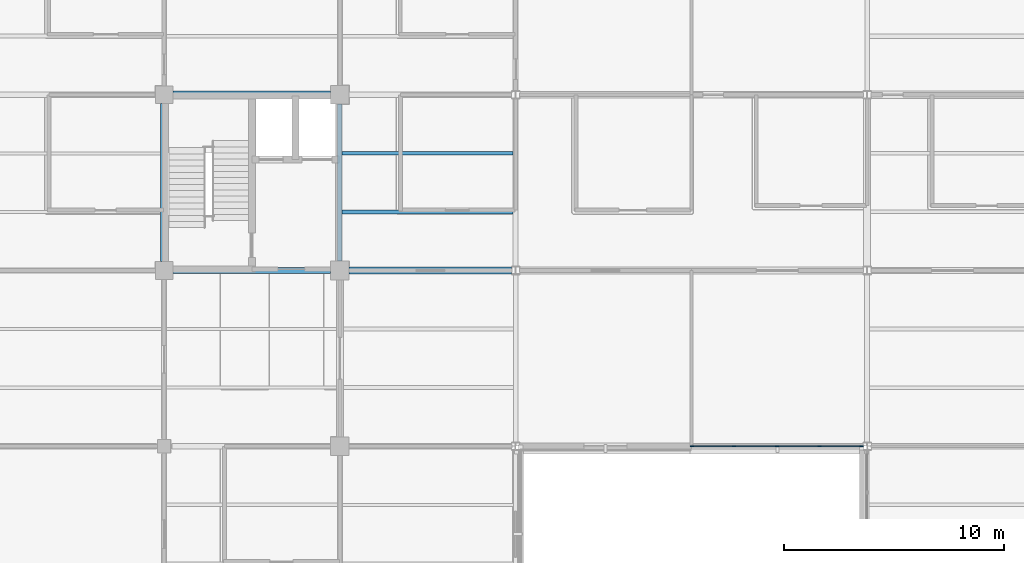
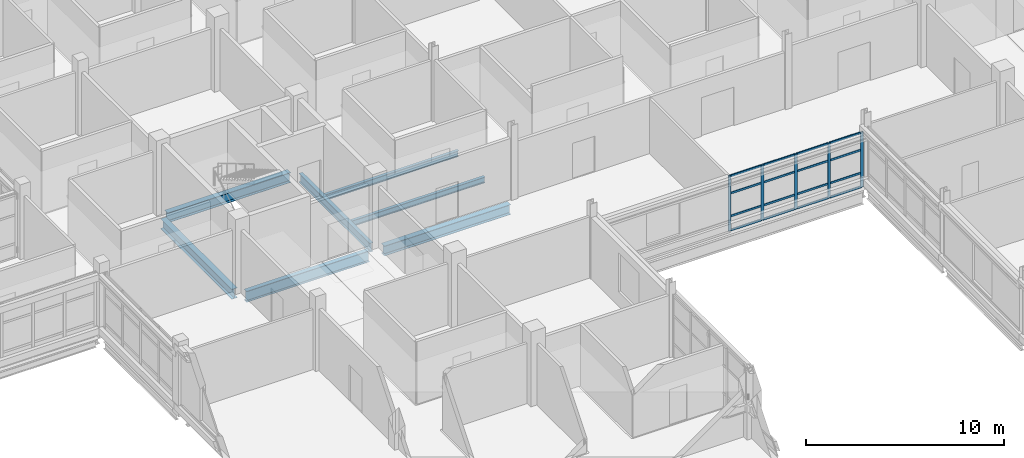
# One storey, part 26 of 121: 21 members, 7 beams, 1 element without a shape of its own.
"""IFC4 building model written with IfcOpenShell, lengths in metres."""

from ifc_helpers import new_model, si_unit, derived_unit, direction, frame, origin, origin_2d, place, context, subcontext, project, spatial, rectangle, i_section, extrude, material, layer, layer_set, material_profile, profile_set, type_object, element, aggregate, save


model = new_model("IFC4")

# Units and contexts
model_context = context("Model", 3, precision=1e-05, world=origin(), true_north=direction((0.0, 1.0)))
body_context = subcontext(model_context, "Body", "Model", "MODEL_VIEW")
ifc_project = project(units=[si_unit("LENGTHUNIT", "METRE"), si_unit("AREAUNIT", "SQUARE_METRE"), si_unit("VOLUMEUNIT", "CUBIC_METRE"), si_unit("PLANEANGLEUNIT", "RADIAN"), si_unit("MASSUNIT", "GRAM", prefix="KILO"), derived_unit("THERMALTRANSMITTANCEUNIT", [(si_unit("MASSUNIT", "GRAM", prefix="KILO"), 1), (si_unit("TIMEUNIT", "SECOND"), -3), (si_unit("THERMODYNAMICTEMPERATUREUNIT", "KELVIN"), -1)])], contexts=[model_context])

# Site, building, storey
site_placement = place(None, origin())
site = spatial("IfcSite", under=ifc_project, at=site_placement, CompositionType="ELEMENT")
building_placement = place(site_placement, origin())
building = spatial("IfcBuilding", under=site, at=building_placement, Name="Veyamyaing Civic Hall", CompositionType="ELEMENT")
storey_placement = place(building_placement, frame((0.0, 0.0, 5.280029296875)))
storey = spatial("IfcBuildingStorey", under=building, at=storey_placement, Name="L01", CompositionType="ELEMENT", Elevation=5.280029296875)

# Beams
ifc_material_1 = material(Name="Steel ASTM A992", Category="steel")
ifc_material_profile_1 = material_profile(ifc_material_1, i_section(OverallWidth=0.25390625, OverallDepth=0.68408203125, WebThickness=0.012451171875, FlangeThickness=0.01904296875, FilletRadius=0.013916015625, at=origin_2d()), Name="W690X140")
ifc_profile_set_1 = profile_set([ifc_material_profile_1], Name="Steel ASTM A992")
beam_type_1 = type_object("IfcBeamType", Name="B-14", PredefinedType="BEAM", material=ifc_profile_set_1)
beam_1_placement = place(storey_placement, frame((64.39990234375, 48.0, -0.5869140625), z_axis=(1.0, 0.0, 0.0), x_axis=(0.0, 1.0, 0.0)))
element("IfcBeam", 1, at=beam_1_placement, inside=storey, type_object=beam_type_1, Name="Girder B-14 L01 Grid G 9-10", PredefinedType="BEAM", context=body_context, shape_type="SweptSolid", body=[
    extrude(i_section(OverallWidth=0.25390625, OverallDepth=0.68408203125, WebThickness=0.012451171875, FlangeThickness=0.01904296875, FilletRadius=0.013916015625, at=origin_2d()), origin(), (0.0, 0.0, 1.0), 7.175048828125),
])
ifc_material_profile_2 = material_profile(ifc_material_1, i_section(OverallWidth=0.324951171875, OverallDepth=0.615966796875, WebThickness=0.013916015625, FlangeThickness=0.021484375, FilletRadius=0.013916015625, at=origin_2d()), Name="W610X174")
ifc_profile_set_2 = profile_set([ifc_material_profile_2], Name="Steel ASTM A992")
beam_type_2 = type_object("IfcBeamType", Name="B-15", PredefinedType="BEAM", material=ifc_profile_set_2)
beam_2_placement = place(storey_placement, frame((72.425048828125, 48.0, -0.552978515625), z_axis=(1.0, 0.0, 0.0), x_axis=(0.0, 1.0, 0.0)))
element("IfcBeam", 2, at=beam_2_placement, inside=storey, type_object=beam_type_2, Name="Girder B-15 L01 Grid G 10-11", PredefinedType="BEAM", context=body_context, shape_type="SweptSolid", body=[
    extrude(i_section(OverallWidth=0.324951171875, OverallDepth=0.615966796875, WebThickness=0.013916015625, FlangeThickness=0.021484375, FilletRadius=0.013916015625, at=origin_2d()), origin(), (0.0, 0.0, 1.0), 7.3759765625),
])
beam_3_placement = place(storey_placement, frame((64.39990234375, 56.0, -0.552978515625), z_axis=(1.0, 0.0, 0.0), x_axis=(0.0, 1.0, 0.0)))
element("IfcBeam", 3, at=beam_3_placement, inside=storey, type_object=beam_type_2, Name="Girder B-15 L01 Grid H 9-10", PredefinedType="BEAM", context=body_context, shape_type="SweptSolid", body=[
    extrude(i_section(OverallWidth=0.324951171875, OverallDepth=0.615966796875, WebThickness=0.013916015625, FlangeThickness=0.021484375, FilletRadius=0.013916015625, at=origin_2d()), origin(), (0.0, 0.0, 1.0), 7.175048828125),
])
beam_4_placement = place(storey_placement, frame((64.0, 48.39990234375, -0.552978515625), z_axis=(0.0, 1.0, 0.0), x_axis=(-1.0, 0.0, 0.0)))
element("IfcBeam", 4, at=beam_4_placement, inside=storey, type_object=beam_type_2, Name="Girder B-15 L01 Grid 9 G-H", PredefinedType="BEAM", context=body_context, shape_type="SweptSolid", body=[
    extrude(i_section(OverallWidth=0.324951171875, OverallDepth=0.615966796875, WebThickness=0.013916015625, FlangeThickness=0.021484375, FilletRadius=0.013916015625, at=origin_2d()), origin(), (0.0, 0.0, 1.0), 7.2001953125),
])
ifc_material_profile_3 = material_profile(ifc_material_1, i_section(OverallWidth=0.214111328125, OverallDepth=0.549072265625, WebThickness=0.0146484375, FlangeThickness=0.023681640625, FilletRadius=0.011962890625, at=origin_2d()), Name="W530X138")
ifc_profile_set_3 = profile_set([ifc_material_profile_3], Name="Steel ASTM A992")
beam_type_3 = type_object("IfcBeamType", Name="B-16", PredefinedType="BEAM", material=ifc_profile_set_3)
beam_5_placement = place(storey_placement, frame((72.0, 48.425048828125, -0.51953125), z_axis=(0.0, 1.0, 0.0), x_axis=(-1.0, 0.0, 0.0)))
element("IfcBeam", 5, at=beam_5_placement, inside=storey, type_object=beam_type_3, Name="Girder B-16 L01 Grid 10 G-H", PredefinedType="BEAM", context=body_context, shape_type="SweptSolid", body=[
    extrude(i_section(OverallWidth=0.214111328125, OverallDepth=0.549072265625, WebThickness=0.0146484375, FlangeThickness=0.023681640625, FilletRadius=0.011962890625, at=origin_2d()), origin(), (0.0, 0.0, 1.0), 7.14990234375),
])

# Curtain wall, members
ifc_material_2 = material(Name="Anodised aluminium 6063-T6", Category="aluminium")
ifc_layer = layer(ifc_material_2, 0.159912109375, Name="Anodised aluminium 6063-T6")
ifc_layer_set = layer_set([ifc_layer], Name="Anodised aluminium 6063-T6")
curtain_wall_type = type_object("IfcCurtainWallType", Name="CW-02", PredefinedType="NOTDEFINED", material=ifc_layer_set)
curtain_wall_placement = place(storey_placement, origin())
curtain_wall = element("IfcCurtainWall", 6, at=curtain_wall_placement, inside=storey, type_object=curtain_wall_type, Name="Unitized curtain wall CW-02 L01 S 12.6", PredefinedType="NOTDEFINED")
ifc_material_profile_4 = material_profile(ifc_material_2, rectangle(XDim=0.06494140625, YDim=0.159912109375, at=origin_2d()), Name="ALU-MUL-65X160")
ifc_profile_set_4 = profile_set([ifc_material_profile_4], Name="Anodised aluminium 6063-T6")
member_type_1 = type_object("IfcMemberType", Name="CWM-01", PredefinedType="MULLION", material=ifc_profile_set_4)
member_1_placement = place(storey_placement, frame((88.032470703125, 40.0, 0.0), z_axis=(0.0, 0.0, 1.0), x_axis=(0.0, 1.0, 0.0)))
member_1 = element("IfcMember", 7, at=member_1_placement, type_object=member_type_1, Name="CW-02 mullion 1", PredefinedType="MULLION", context=body_context, shape_type="SweptSolid", body=[
    extrude(rectangle(XDim=0.06494140625, YDim=0.159912109375, at=origin_2d()), origin(), (0.0, 0.0, 1.0), 3.404052734375),
])
member_2_placement = place(storey_placement, frame((89.94580078125, 40.0, 0.0), z_axis=(0.0, 0.0, 1.0), x_axis=(0.0, 1.0, 0.0)))
member_2 = element("IfcMember", 8, at=member_2_placement, type_object=member_type_1, Name="CW-02 mullion 2", PredefinedType="MULLION", context=body_context, shape_type="SweptSolid", body=[
    extrude(rectangle(XDim=0.06494140625, YDim=0.159912109375, at=origin_2d()), origin(), (0.0, 0.0, 1.0), 3.404052734375),
])
member_3_placement = place(storey_placement, frame((91.8916015625, 40.0, 0.0), z_axis=(0.0, 0.0, 1.0), x_axis=(0.0, 1.0, 0.0)))
member_3 = element("IfcMember", 9, at=member_3_placement, type_object=member_type_1, Name="CW-02 mullion 3", PredefinedType="MULLION", context=body_context, shape_type="SweptSolid", body=[
    extrude(rectangle(XDim=0.06494140625, YDim=0.159912109375, at=origin_2d()), origin(), (0.0, 0.0, 1.0), 3.404052734375),
])
member_4_placement = place(storey_placement, frame((93.837158203125, 40.0, 0.0), z_axis=(0.0, 0.0, 1.0), x_axis=(0.0, 1.0, 0.0)))
member_4 = element("IfcMember", 10, at=member_4_placement, type_object=member_type_1, Name="CW-02 mullion 4", PredefinedType="MULLION", context=body_context, shape_type="SweptSolid", body=[
    extrude(rectangle(XDim=0.06494140625, YDim=0.159912109375, at=origin_2d()), origin(), (0.0, 0.0, 1.0), 3.404052734375),
])
member_5_placement = place(storey_placement, frame((95.75048828125, 40.0, 0.0), z_axis=(0.0, 0.0, 1.0), x_axis=(0.0, 1.0, 0.0)))
member_5 = element("IfcMember", 11, at=member_5_placement, type_object=member_type_1, Name="CW-02 mullion 5", PredefinedType="MULLION", context=body_context, shape_type="SweptSolid", body=[
    extrude(rectangle(XDim=0.06494140625, YDim=0.159912109375, at=origin_2d()), origin(), (0.0, 0.0, 1.0), 3.404052734375),
])
ifc_material_profile_5 = material_profile(ifc_material_2, rectangle(XDim=0.06494140625, YDim=0.1201171875, at=origin_2d()), Name="ALU-TRN-65X120")
ifc_profile_set_5 = profile_set([ifc_material_profile_5], Name="Anodised aluminium 6063-T6")
member_type_2 = type_object("IfcMemberType", Name="CWT-01", PredefinedType="USERDEFINED", material=ifc_profile_set_5)
member_6_placement = place(storey_placement, frame((88.06494140625, 40.0, 0.032470703125), z_axis=(1.0, 0.0, 0.0), x_axis=(0.0, 1.0, 0.0)))
member_6 = element("IfcMember", 12, at=member_6_placement, type_object=member_type_2, Name="CW-02 transom 1.1", ObjectType="TRANSOM", PredefinedType="USERDEFINED", context=body_context, shape_type="SweptSolid", body=[
    extrude(rectangle(XDim=0.06494140625, YDim=0.1201171875, at=origin_2d()), origin(), (0.0, 0.0, 1.0), 1.848388671875),
])
member_7_placement = place(storey_placement, frame((88.06494140625, 40.0, 0.89990234375), z_axis=(1.0, 0.0, 0.0), x_axis=(0.0, 1.0, 0.0)))
member_7 = element("IfcMember", 13, at=member_7_placement, type_object=member_type_2, Name="CW-02 transom 1.2", ObjectType="TRANSOM", PredefinedType="USERDEFINED", context=body_context, shape_type="SweptSolid", body=[
    extrude(rectangle(XDim=0.06494140625, YDim=0.1201171875, at=origin_2d()), origin(), (0.0, 0.0, 1.0), 1.848388671875),
])
member_8_placement = place(storey_placement, frame((88.06494140625, 40.0, 2.314697265625), z_axis=(1.0, 0.0, 0.0), x_axis=(0.0, 1.0, 0.0)))
member_8 = element("IfcMember", 14, at=member_8_placement, type_object=member_type_2, Name="CW-02 transom 1.3", ObjectType="TRANSOM", PredefinedType="USERDEFINED", context=body_context, shape_type="SweptSolid", body=[
    extrude(rectangle(XDim=0.06494140625, YDim=0.1201171875, at=origin_2d()), origin(), (0.0, 0.0, 1.0), 1.848388671875),
])
member_9_placement = place(storey_placement, frame((88.06494140625, 40.0, 3.37158203125), z_axis=(1.0, 0.0, 0.0), x_axis=(0.0, 1.0, 0.0)))
member_9 = element("IfcMember", 15, at=member_9_placement, type_object=member_type_2, Name="CW-02 transom 1.4", ObjectType="TRANSOM", PredefinedType="USERDEFINED", context=body_context, shape_type="SweptSolid", body=[
    extrude(rectangle(XDim=0.06494140625, YDim=0.1201171875, at=origin_2d()), origin(), (0.0, 0.0, 1.0), 1.848388671875),
])
member_10_placement = place(storey_placement, frame((89.978271484375, 40.0, 0.032470703125), z_axis=(1.0, 0.0, 0.0), x_axis=(0.0, 1.0, 0.0)))
member_10 = element("IfcMember", 16, at=member_10_placement, type_object=member_type_2, Name="CW-02 transom 2.1", ObjectType="TRANSOM", PredefinedType="USERDEFINED", context=body_context, shape_type="SweptSolid", body=[
    extrude(rectangle(XDim=0.06494140625, YDim=0.1201171875, at=origin_2d()), origin(), (0.0, 0.0, 1.0), 1.880615234375),
])
member_11_placement = place(storey_placement, frame((89.978271484375, 40.0, 0.89990234375), z_axis=(1.0, 0.0, 0.0), x_axis=(0.0, 1.0, 0.0)))
member_11 = element("IfcMember", 17, at=member_11_placement, type_object=member_type_2, Name="CW-02 transom 2.2", ObjectType="TRANSOM", PredefinedType="USERDEFINED", context=body_context, shape_type="SweptSolid", body=[
    extrude(rectangle(XDim=0.06494140625, YDim=0.1201171875, at=origin_2d()), origin(), (0.0, 0.0, 1.0), 1.880615234375),
])
member_12_placement = place(storey_placement, frame((89.978271484375, 40.0, 2.314697265625), z_axis=(1.0, 0.0, 0.0), x_axis=(0.0, 1.0, 0.0)))
member_12 = element("IfcMember", 18, at=member_12_placement, type_object=member_type_2, Name="CW-02 transom 2.3", ObjectType="TRANSOM", PredefinedType="USERDEFINED", context=body_context, shape_type="SweptSolid", body=[
    extrude(rectangle(XDim=0.06494140625, YDim=0.1201171875, at=origin_2d()), origin(), (0.0, 0.0, 1.0), 1.880615234375),
])
member_13_placement = place(storey_placement, frame((89.978271484375, 40.0, 3.37158203125), z_axis=(1.0, 0.0, 0.0), x_axis=(0.0, 1.0, 0.0)))
member_13 = element("IfcMember", 19, at=member_13_placement, type_object=member_type_2, Name="CW-02 transom 2.4", ObjectType="TRANSOM", PredefinedType="USERDEFINED", context=body_context, shape_type="SweptSolid", body=[
    extrude(rectangle(XDim=0.06494140625, YDim=0.1201171875, at=origin_2d()), origin(), (0.0, 0.0, 1.0), 1.880615234375),
])
member_14_placement = place(storey_placement, frame((91.924072265625, 40.0, 0.032470703125), z_axis=(1.0, 0.0, 0.0), x_axis=(0.0, 1.0, 0.0)))
member_14 = element("IfcMember", 20, at=member_14_placement, type_object=member_type_2, Name="CW-02 transom 3.1", ObjectType="TRANSOM", PredefinedType="USERDEFINED", context=body_context, shape_type="SweptSolid", body=[
    extrude(rectangle(XDim=0.06494140625, YDim=0.1201171875, at=origin_2d()), origin(), (0.0, 0.0, 1.0), 1.880615234375),
])
member_15_placement = place(storey_placement, frame((91.924072265625, 40.0, 0.89990234375), z_axis=(1.0, 0.0, 0.0), x_axis=(0.0, 1.0, 0.0)))
member_15 = element("IfcMember", 21, at=member_15_placement, type_object=member_type_2, Name="CW-02 transom 3.2", ObjectType="TRANSOM", PredefinedType="USERDEFINED", context=body_context, shape_type="SweptSolid", body=[
    extrude(rectangle(XDim=0.06494140625, YDim=0.1201171875, at=origin_2d()), origin(), (0.0, 0.0, 1.0), 1.880615234375),
])
member_16_placement = place(storey_placement, frame((91.924072265625, 40.0, 2.314697265625), z_axis=(1.0, 0.0, 0.0), x_axis=(0.0, 1.0, 0.0)))
member_16 = element("IfcMember", 22, at=member_16_placement, type_object=member_type_2, Name="CW-02 transom 3.3", ObjectType="TRANSOM", PredefinedType="USERDEFINED", context=body_context, shape_type="SweptSolid", body=[
    extrude(rectangle(XDim=0.06494140625, YDim=0.1201171875, at=origin_2d()), origin(), (0.0, 0.0, 1.0), 1.880615234375),
])
member_17_placement = place(storey_placement, frame((91.924072265625, 40.0, 3.37158203125), z_axis=(1.0, 0.0, 0.0), x_axis=(0.0, 1.0, 0.0)))
member_17 = element("IfcMember", 23, at=member_17_placement, type_object=member_type_2, Name="CW-02 transom 3.4", ObjectType="TRANSOM", PredefinedType="USERDEFINED", context=body_context, shape_type="SweptSolid", body=[
    extrude(rectangle(XDim=0.06494140625, YDim=0.1201171875, at=origin_2d()), origin(), (0.0, 0.0, 1.0), 1.880615234375),
])
member_18_placement = place(storey_placement, frame((93.86962890625, 40.0, 0.032470703125), z_axis=(1.0, 0.0, 0.0), x_axis=(0.0, 1.0, 0.0)))
member_18 = element("IfcMember", 24, at=member_18_placement, type_object=member_type_2, Name="CW-02 transom 4.1", ObjectType="TRANSOM", PredefinedType="USERDEFINED", context=body_context, shape_type="SweptSolid", body=[
    extrude(rectangle(XDim=0.06494140625, YDim=0.1201171875, at=origin_2d()), origin(), (0.0, 0.0, 1.0), 1.848388671875),
])
member_19_placement = place(storey_placement, frame((93.86962890625, 40.0, 0.89990234375), z_axis=(1.0, 0.0, 0.0), x_axis=(0.0, 1.0, 0.0)))
member_19 = element("IfcMember", 25, at=member_19_placement, type_object=member_type_2, Name="CW-02 transom 4.2", ObjectType="TRANSOM", PredefinedType="USERDEFINED", context=body_context, shape_type="SweptSolid", body=[
    extrude(rectangle(XDim=0.06494140625, YDim=0.1201171875, at=origin_2d()), origin(), (0.0, 0.0, 1.0), 1.848388671875),
])
member_20_placement = place(storey_placement, frame((93.86962890625, 40.0, 2.314697265625), z_axis=(1.0, 0.0, 0.0), x_axis=(0.0, 1.0, 0.0)))
member_20 = element("IfcMember", 26, at=member_20_placement, type_object=member_type_2, Name="CW-02 transom 4.3", ObjectType="TRANSOM", PredefinedType="USERDEFINED", context=body_context, shape_type="SweptSolid", body=[
    extrude(rectangle(XDim=0.06494140625, YDim=0.1201171875, at=origin_2d()), origin(), (0.0, 0.0, 1.0), 1.848388671875),
])
member_21_placement = place(storey_placement, frame((93.86962890625, 40.0, 3.37158203125), z_axis=(1.0, 0.0, 0.0), x_axis=(0.0, 1.0, 0.0)))
member_21 = element("IfcMember", 27, at=member_21_placement, type_object=member_type_2, Name="CW-02 transom 4.4", ObjectType="TRANSOM", PredefinedType="USERDEFINED", context=body_context, shape_type="SweptSolid", body=[
    extrude(rectangle(XDim=0.06494140625, YDim=0.1201171875, at=origin_2d()), origin(), (0.0, 0.0, 1.0), 1.848388671875),
])
aggregate(curtain_wall, [member_1, member_2, member_3, member_4, member_5, member_6, member_7, member_8, member_9, member_10, member_11, member_12, member_13, member_14, member_15, member_16, member_17, member_18, member_19, member_20, member_21])

# Beams
ifc_material_profile_6 = material_profile(ifc_material_1, i_section(OverallWidth=0.172119140625, OverallDepth=0.35791015625, WebThickness=0.0078125, FlangeThickness=0.01318359375, FilletRadius=0.010009765625, at=origin_2d()), Name="W360X57")
ifc_profile_set_6 = profile_set([ifc_material_profile_6], Name="Steel ASTM A992")
beam_type_4 = type_object("IfcBeamType", Name="J-02", PredefinedType="JOIST", material=ifc_profile_set_6)
for number, where, z_axis, x_axis, name in (
    (28, (72.10498046875, 50.666748046875, -0.424072265625), (1.0, 0.0, 0.0), (0.0, 1.0, 0.0), "Composite floor joist J-02 L01 10.7.1"),
    (29, (72.10498046875, 53.333251953125, -0.424072265625), (1.0, 0.0, 0.0), (0.0, 1.0, 0.0), "Composite floor joist J-02 L01 10.7.2"),
):
    element("IfcBeam", number, at=place(storey_placement, frame(where, z_axis=z_axis, x_axis=x_axis)), inside=storey, type_object=beam_type_4, Name=name, PredefinedType="JOIST", context=body_context, shape_type="SweptSolid", body=[
        extrude(i_section(OverallWidth=0.172119140625, OverallDepth=0.35791015625, WebThickness=0.0078125, FlangeThickness=0.01318359375, FilletRadius=0.010009765625, at=origin_2d()), origin(), (0.0, 0.0, 1.0), 7.781982421875),
    ])

save(model, "model.ifc")
